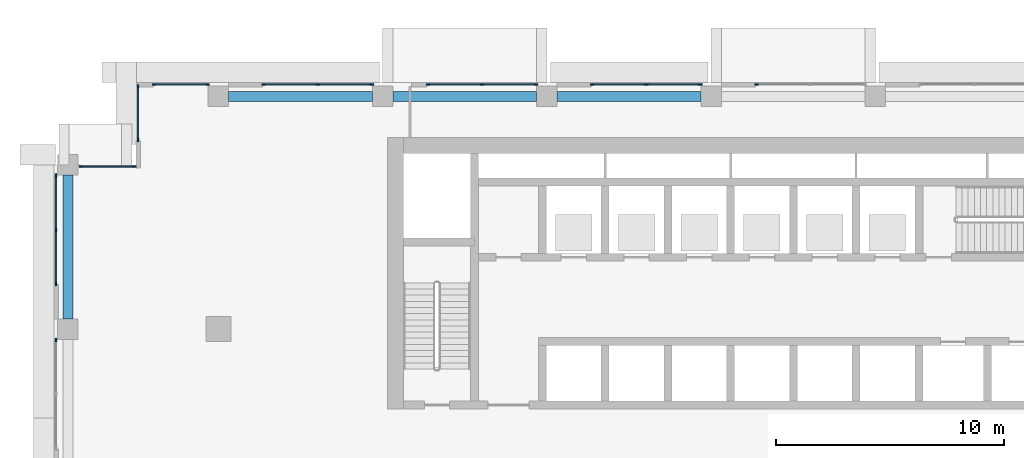
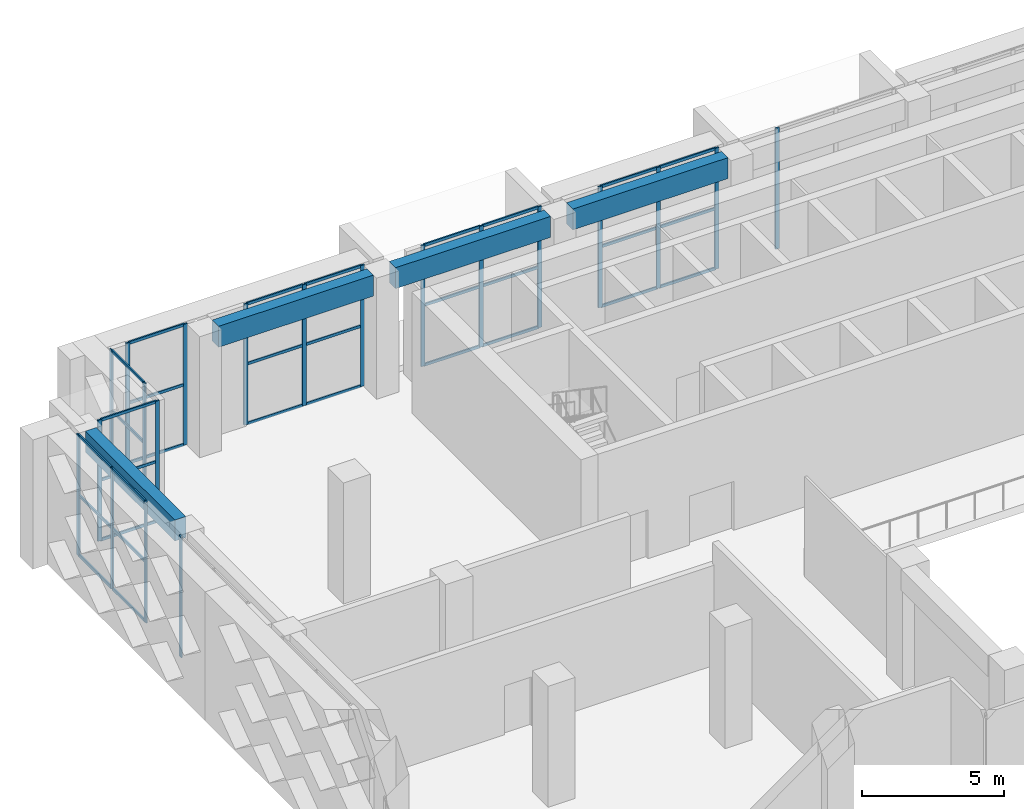
# One storey, part 7 of 25: 53 members, 4 beams, 9 elements without a shape of their own.
"""IFC4 building model written with IfcOpenShell, lengths in metres."""

from ifc_helpers import new_model, si_unit, direction, frame, origin, origin_2d, place, context, subcontext, project, spatial, rectangle, extrude, source, transform, mapped, material, layer, layer_set, material_profile, profile_set, type_object, element, aggregate, save


model = new_model("IFC4")

# Units and contexts
model_context = context("Model", 3, precision=1e-05, world=origin(), true_north=direction((0.0, 1.0)))
body_context = subcontext(model_context, "Body", "Model", "MODEL_VIEW")
ifc_project = project(units=[si_unit("LENGTHUNIT", "METRE"), si_unit("AREAUNIT", "SQUARE_METRE"), si_unit("VOLUMEUNIT", "CUBIC_METRE"), si_unit("PLANEANGLEUNIT", "RADIAN"), si_unit("MASSUNIT", "GRAM", prefix="KILO")], contexts=[model_context])

# Site, building, storey
site_placement = place(None, origin())
site = spatial("IfcSite", under=ifc_project, at=site_placement, CompositionType="ELEMENT")
building_placement = place(site_placement, origin())
building = spatial("IfcBuilding", under=site, at=building_placement, Name="Saffron Iwan Residences", CompositionType="ELEMENT")
storey_placement = place(building_placement, frame((0.0, 0.0, 137.5)))
storey = spatial("IfcBuildingStorey", under=building, at=storey_placement, Name="L36", CompositionType="ELEMENT", Elevation=137.5)

# Beams
ifc_material_1 = material(Name="Concrete C50/60", Category="concrete")
ifc_material_profile_1 = material_profile(ifc_material_1, rectangle(XDim=0.449951171875, YDim=0.89990234375, at=origin_2d()), Name="RC 450x900")
ifc_profile_set_1 = profile_set([ifc_material_profile_1], Name="Concrete C50/60")
beam_type = type_object("IfcBeamType", Name="SPANDREL BEAM RC 450x900 C50/60 TOP 5200", PredefinedType="SPANDREL", material=ifc_profile_set_1)
shared_shape_1 = source(origin(), body_context, "Body", "SweptSolid", [
    extrude(rectangle(XDim=0.449951171875, YDim=0.89990234375, at=origin_2d()), origin(), (0.0, 0.0, 1.0), 6.300048828125),
])
for number, where, z_axis, x_axis, name in (
    (1, (15.0, 70.050048828125, 4.75), (0.0, 1.0, 0.0), (-1.0, 0.0, 0.0), "Spandrel beam"),
    (2, (22.050048828125, 79.800048828125, 4.75), (1.0, 0.0, 0.0), (0.0, 1.0, 0.0), "Spandrel beam"),
    (3, (29.25, 79.800048828125, 4.75), (1.0, 0.0, 0.0), (0.0, 1.0, 0.0), "Spandrel beam"),
    (4, (36.449951171875, 79.800048828125, 4.75), (1.0, 0.0, 0.0), (0.0, 1.0, 0.0), "Spandrel beam"),
):
    element("IfcBeam", number, at=place(storey_placement, frame(where, z_axis=z_axis, x_axis=x_axis)), inside=storey, type_object=beam_type, Name=name, PredefinedType="SPANDREL", context=body_context, shape_type="MappedRepresentation", body=[
        mapped(shared_shape_1, transform((0.0, 0.0, 0.0))),
    ])

# Curtain wall, member
ifc_material_2 = material(Name="Clear glass, laminated double glazed", Category="glass")
ifc_layer = layer(ifc_material_2, 0.14990234375)
ifc_layer_set = layer_set([ifc_layer], Name="Clear glass, laminated double glazed")
curtain_wall_type = type_object("IfcCurtainWallType", Name="CW-C SKY LOBBY GLAZING", PredefinedType="NOTDEFINED", material=ifc_layer_set)
curtain_wall_1_placement = place(storey_placement, origin())
curtain_wall_1 = element("IfcCurtainWall", 5, at=curtain_wall_1_placement, inside=storey, type_object=curtain_wall_type, Name="Glazing L36 F5.6", PredefinedType="NOTDEFINED")
ifc_material_3 = material(Name="Aluminium 6063-T6", Category="aluminium")
ifc_material_profile_2 = material_profile(ifc_material_3, rectangle(XDim=0.06005859375, YDim=0.159912109375, at=origin_2d()), Name="CW-C MULLION 60 x 160")
ifc_profile_set_2 = profile_set([ifc_material_profile_2], Name="Aluminium 6063-T6")
member_type_1 = type_object("IfcMemberType", Name="CW-C MULLION 60 x 160", PredefinedType="MULLION", material=ifc_profile_set_2)
shared_shape_2 = source(origin(), body_context, "Body", "SweptSolid", [
    extrude(rectangle(XDim=0.06005859375, YDim=0.159912109375, at=origin_2d()), origin(), (0.0, 0.0, 1.0), 5.199951171875),
])
member_1_placement = place(storey_placement, frame((45.179931640625, 80.320068359375, 0.0), z_axis=(0.0, 0.0, 1.0), x_axis=(0.0, -1.0, 0.0)))
member_1 = element("IfcMember", 6, at=member_1_placement, type_object=member_type_1, Name="CW-C mullion 3", PredefinedType="MULLION", context=body_context, shape_type="MappedRepresentation", body=[
    mapped(shared_shape_2, transform((0.0, 0.0, 0.0))),
])
aggregate(curtain_wall_1, [member_1])

# Curtain wall, members
curtain_wall_2_placement = place(storey_placement, origin())
curtain_wall_2 = element("IfcCurtainWall", 7, at=curtain_wall_2_placement, inside=storey, type_object=curtain_wall_type, Name="Glazing L36 F5.7", PredefinedType="NOTDEFINED")
member_2_placement = place(storey_placement, frame((42.719970703125, 80.320068359375, 0.0), z_axis=(0.0, 0.0, 1.0), x_axis=(0.0, -1.0, 0.0)))
member_2 = element("IfcMember", 8, at=member_2_placement, type_object=member_type_1, Name="CW-C mullion 1", PredefinedType="MULLION", context=body_context, shape_type="MappedRepresentation", body=[
    mapped(shared_shape_2, transform((0.0, 0.0, 0.0))),
])
member_3_placement = place(storey_placement, frame((40.35009765625, 80.320068359375, 0.0), z_axis=(0.0, 0.0, 1.0), x_axis=(0.0, -1.0, 0.0)))
member_3 = element("IfcMember", 9, at=member_3_placement, type_object=member_type_1, Name="CW-C mullion 2", PredefinedType="MULLION", context=body_context, shape_type="MappedRepresentation", body=[
    mapped(shared_shape_2, transform((0.0, 0.0, 0.0))),
])
member_4_placement = place(storey_placement, frame((37.97998046875, 80.320068359375, 0.0), z_axis=(0.0, 0.0, 1.0), x_axis=(0.0, -1.0, 0.0)))
member_4 = element("IfcMember", 10, at=member_4_placement, type_object=member_type_1, Name="CW-C mullion 3", PredefinedType="MULLION", context=body_context, shape_type="MappedRepresentation", body=[
    mapped(shared_shape_2, transform((0.0, 0.0, 0.0))),
])

curtain_wall_3_placement = place(storey_placement, origin())
curtain_wall_3 = element("IfcCurtainWall", 11, at=curtain_wall_3_placement, inside=storey, type_object=curtain_wall_type, Name="Glazing L36 F5.8", PredefinedType="NOTDEFINED")
member_5_placement = place(storey_placement, frame((35.52001953125, 80.320068359375, 0.0), z_axis=(0.0, 0.0, 1.0), x_axis=(0.0, -1.0, 0.0)))
member_5 = element("IfcMember", 12, at=member_5_placement, type_object=member_type_1, Name="CW-C mullion 1", PredefinedType="MULLION", context=body_context, shape_type="MappedRepresentation", body=[
    mapped(shared_shape_2, transform((0.0, 0.0, 0.0))),
])
member_6_placement = place(storey_placement, frame((33.14990234375, 80.320068359375, 0.0), z_axis=(0.0, 0.0, 1.0), x_axis=(0.0, -1.0, 0.0)))
member_6 = element("IfcMember", 13, at=member_6_placement, type_object=member_type_1, Name="CW-C mullion 2", PredefinedType="MULLION", context=body_context, shape_type="MappedRepresentation", body=[
    mapped(shared_shape_2, transform((0.0, 0.0, 0.0))),
])
member_7_placement = place(storey_placement, frame((30.780029296875, 80.320068359375, 0.0), z_axis=(0.0, 0.0, 1.0), x_axis=(0.0, -1.0, 0.0)))
member_7 = element("IfcMember", 14, at=member_7_placement, type_object=member_type_1, Name="CW-C mullion 3", PredefinedType="MULLION", context=body_context, shape_type="MappedRepresentation", body=[
    mapped(shared_shape_2, transform((0.0, 0.0, 0.0))),
])

curtain_wall_4_placement = place(storey_placement, origin())
curtain_wall_4 = element("IfcCurtainWall", 15, at=curtain_wall_4_placement, inside=storey, type_object=curtain_wall_type, Name="Glazing L36 F5.9", PredefinedType="NOTDEFINED")
member_8_placement = place(storey_placement, frame((28.320068359375, 80.320068359375, 0.0), z_axis=(0.0, 0.0, 1.0), x_axis=(0.0, -1.0, 0.0)))
member_8 = element("IfcMember", 16, at=member_8_placement, type_object=member_type_1, Name="CW-C mullion 1", PredefinedType="MULLION", context=body_context, shape_type="MappedRepresentation", body=[
    mapped(shared_shape_2, transform((0.0, 0.0, 0.0))),
])
member_9_placement = place(storey_placement, frame((25.949951171875, 80.320068359375, 0.0), z_axis=(0.0, 0.0, 1.0), x_axis=(0.0, -1.0, 0.0)))
member_9 = element("IfcMember", 17, at=member_9_placement, type_object=member_type_1, Name="CW-C mullion 2", PredefinedType="MULLION", context=body_context, shape_type="MappedRepresentation", body=[
    mapped(shared_shape_2, transform((0.0, 0.0, 0.0))),
])
member_10_placement = place(storey_placement, frame((23.580078125, 80.320068359375, 0.0), z_axis=(0.0, 0.0, 1.0), x_axis=(0.0, -1.0, 0.0)))
member_10 = element("IfcMember", 18, at=member_10_placement, type_object=member_type_1, Name="CW-C mullion 3", PredefinedType="MULLION", context=body_context, shape_type="MappedRepresentation", body=[
    mapped(shared_shape_2, transform((0.0, 0.0, 0.0))),
])

curtain_wall_5_placement = place(storey_placement, origin())
curtain_wall_5 = element("IfcCurtainWall", 19, at=curtain_wall_5_placement, inside=storey, type_object=curtain_wall_type, Name="Glazing L36 F5.10", PredefinedType="NOTDEFINED")
member_11_placement = place(storey_placement, frame((21.1201171875, 80.320068359375, 0.0), z_axis=(0.0, 0.0, 1.0), x_axis=(0.0, -1.0, 0.0)))
member_11 = element("IfcMember", 20, at=member_11_placement, type_object=member_type_1, Name="CW-C mullion 1", PredefinedType="MULLION", context=body_context, shape_type="MappedRepresentation", body=[
    mapped(shared_shape_2, transform((0.0, 0.0, 0.0))),
])
member_12_placement = place(storey_placement, frame((18.780029296875, 80.320068359375, 0.0), z_axis=(0.0, 0.0, 1.0), x_axis=(0.0, -1.0, 0.0)))
member_12 = element("IfcMember", 21, at=member_12_placement, type_object=member_type_1, Name="CW-C mullion 2", PredefinedType="MULLION", context=body_context, shape_type="MappedRepresentation", body=[
    mapped(shared_shape_2, transform((0.0, 0.0, 0.0))),
])

curtain_wall_6_placement = place(storey_placement, origin())
curtain_wall_6 = element("IfcCurtainWall", 22, at=curtain_wall_6_placement, inside=storey, type_object=curtain_wall_type, Name="Glazing L36 F6.0", PredefinedType="NOTDEFINED")
member_13_placement = place(storey_placement, frame((18.080078125, 80.239990234375, 0.0), z_axis=(0.0, 0.0, 1.0), x_axis=(1.0, 0.0, 0.0)))
member_13 = element("IfcMember", 23, at=member_13_placement, type_object=member_type_1, Name="CW-C mullion 1", PredefinedType="MULLION", context=body_context, shape_type="MappedRepresentation", body=[
    mapped(shared_shape_2, transform((0.0, 0.0, 0.0))),
])
member_14_placement = place(storey_placement, frame((18.080078125, 77.89990234375, 0.0), z_axis=(0.0, 0.0, 1.0), x_axis=(1.0, 0.0, 0.0)))
member_14 = element("IfcMember", 24, at=member_14_placement, type_object=member_type_1, Name="CW-C mullion 2", PredefinedType="MULLION", context=body_context, shape_type="MappedRepresentation", body=[
    mapped(shared_shape_2, transform((0.0, 0.0, 0.0))),
])

curtain_wall_7_placement = place(storey_placement, origin())
curtain_wall_7 = element("IfcCurtainWall", 25, at=curtain_wall_7_placement, inside=storey, type_object=curtain_wall_type, Name="Glazing L36 F7.0", PredefinedType="NOTDEFINED")
member_15_placement = place(storey_placement, frame((17.909912109375, 76.719970703125, 0.0), z_axis=(0.0, 0.0, 1.0), x_axis=(0.0, -1.0, 0.0)))
member_15 = element("IfcMember", 26, at=member_15_placement, type_object=member_type_1, Name="CW-C mullion 1", PredefinedType="MULLION", context=body_context, shape_type="MappedRepresentation", body=[
    mapped(shared_shape_2, transform((0.0, 0.0, 0.0))),
])
member_16_placement = place(storey_placement, frame((15.570068359375, 76.719970703125, 0.0), z_axis=(0.0, 0.0, 1.0), x_axis=(0.0, -1.0, 0.0)))
member_16 = element("IfcMember", 27, at=member_16_placement, type_object=member_type_1, Name="CW-C mullion 2", PredefinedType="MULLION", context=body_context, shape_type="MappedRepresentation", body=[
    mapped(shared_shape_2, transform((0.0, 0.0, 0.0))),
])

curtain_wall_8_placement = place(storey_placement, origin())
curtain_wall_8 = element("IfcCurtainWall", 28, at=curtain_wall_8_placement, inside=storey, type_object=curtain_wall_type, Name="Glazing L36 F8.0", PredefinedType="NOTDEFINED")
member_17_placement = place(storey_placement, frame((14.47998046875, 76.320068359375, 0.0), z_axis=(0.0, 0.0, 1.0), x_axis=(1.0, 0.0, 0.0)))
member_17 = element("IfcMember", 29, at=member_17_placement, type_object=member_type_1, Name="CW-C mullion 1", PredefinedType="MULLION", context=body_context, shape_type="MappedRepresentation", body=[
    mapped(shared_shape_2, transform((0.0, 0.0, 0.0))),
])
member_18_placement = place(storey_placement, frame((14.47998046875, 73.949951171875, 0.0), z_axis=(0.0, 0.0, 1.0), x_axis=(1.0, 0.0, 0.0)))
member_18 = element("IfcMember", 30, at=member_18_placement, type_object=member_type_1, Name="CW-C mullion 2", PredefinedType="MULLION", context=body_context, shape_type="MappedRepresentation", body=[
    mapped(shared_shape_2, transform((0.0, 0.0, 0.0))),
])
member_19_placement = place(storey_placement, frame((14.47998046875, 71.580078125, 0.0), z_axis=(0.0, 0.0, 1.0), x_axis=(1.0, 0.0, 0.0)))
member_19 = element("IfcMember", 31, at=member_19_placement, type_object=member_type_1, Name="CW-C mullion 3", PredefinedType="MULLION", context=body_context, shape_type="MappedRepresentation", body=[
    mapped(shared_shape_2, transform((0.0, 0.0, 0.0))),
])

# Curtain wall, member
curtain_wall_9_placement = place(storey_placement, origin())
curtain_wall_9 = element("IfcCurtainWall", 32, at=curtain_wall_9_placement, inside=storey, type_object=curtain_wall_type, Name="Glazing L36 F8.1", PredefinedType="NOTDEFINED")
member_20_placement = place(storey_placement, frame((14.47998046875, 69.1201171875, 0.0), z_axis=(0.0, 0.0, 1.0), x_axis=(1.0, 0.0, 0.0)))
member_20 = element("IfcMember", 33, at=member_20_placement, type_object=member_type_1, Name="CW-C mullion 1", PredefinedType="MULLION", context=body_context, shape_type="MappedRepresentation", body=[
    mapped(shared_shape_2, transform((0.0, 0.0, 0.0))),
])
aggregate(curtain_wall_9, [member_20])

# Member
ifc_material_profile_3 = material_profile(ifc_material_3, rectangle(XDim=0.06005859375, YDim=0.1201171875, at=origin_2d()), Name="CW-C TRANSOM 60 x 120")
ifc_profile_set_3 = profile_set([ifc_material_profile_3], Name="Aluminium 6063-T6")
member_type_2 = type_object("IfcMemberType", Name="CW-C TRANSOM 60 x 120", PredefinedType="USERDEFINED", material=ifc_profile_set_3)
shared_shape_3 = source(origin(), body_context, "Body", "SweptSolid", [
    extrude(rectangle(XDim=0.06005859375, YDim=0.1201171875, at=origin_2d()), origin(), (0.0, 0.0, 1.0), 2.31005859375),
])
member_21_placement = place(storey_placement, frame((42.68994140625, 80.320068359375, 0.030029296875), z_axis=(-1.0, 0.0, 0.0), x_axis=(0.0, -1.0, 0.0)))
member_21 = element("IfcMember", 34, at=member_21_placement, type_object=member_type_2, Name="CW-C transom 1.1", ObjectType="TRANSOM", PredefinedType="USERDEFINED", context=body_context, shape_type="MappedRepresentation", body=[
    mapped(shared_shape_3, transform((0.0, 0.0, 0.0))),
])

member_22_placement = place(storey_placement, frame((42.68994140625, 80.320068359375, 2.60009765625), z_axis=(-1.0, 0.0, 0.0), x_axis=(0.0, -1.0, 0.0)))
member_22 = element("IfcMember", 35, at=member_22_placement, type_object=member_type_2, Name="CW-C transom 1.2", ObjectType="TRANSOM", PredefinedType="USERDEFINED", context=body_context, shape_type="MappedRepresentation", body=[
    mapped(shared_shape_3, transform((0.0, 0.0, 0.0))),
])

member_23_placement = place(storey_placement, frame((42.68994140625, 80.320068359375, 5.169921875), z_axis=(-1.0, 0.0, 0.0), x_axis=(0.0, -1.0, 0.0)))
member_23 = element("IfcMember", 36, at=member_23_placement, type_object=member_type_2, Name="CW-C transom 1.3", ObjectType="TRANSOM", PredefinedType="USERDEFINED", context=body_context, shape_type="MappedRepresentation", body=[
    mapped(shared_shape_3, transform((0.0, 0.0, 0.0))),
])

member_24_placement = place(storey_placement, frame((40.320068359375, 80.320068359375, 0.030029296875), z_axis=(-1.0, 0.0, 0.0), x_axis=(0.0, -1.0, 0.0)))
member_24 = element("IfcMember", 37, at=member_24_placement, type_object=member_type_2, Name="CW-C transom 2.1", ObjectType="TRANSOM", PredefinedType="USERDEFINED", context=body_context, shape_type="MappedRepresentation", body=[
    mapped(shared_shape_3, transform((0.0, 0.0, 0.0))),
])

member_25_placement = place(storey_placement, frame((40.320068359375, 80.320068359375, 2.60009765625), z_axis=(-1.0, 0.0, 0.0), x_axis=(0.0, -1.0, 0.0)))
member_25 = element("IfcMember", 38, at=member_25_placement, type_object=member_type_2, Name="CW-C transom 2.2", ObjectType="TRANSOM", PredefinedType="USERDEFINED", context=body_context, shape_type="MappedRepresentation", body=[
    mapped(shared_shape_3, transform((0.0, 0.0, 0.0))),
])

member_26_placement = place(storey_placement, frame((40.320068359375, 80.320068359375, 5.169921875), z_axis=(-1.0, 0.0, 0.0), x_axis=(0.0, -1.0, 0.0)))
member_26 = element("IfcMember", 39, at=member_26_placement, type_object=member_type_2, Name="CW-C transom 2.3", ObjectType="TRANSOM", PredefinedType="USERDEFINED", context=body_context, shape_type="MappedRepresentation", body=[
    mapped(shared_shape_3, transform((0.0, 0.0, 0.0))),
])

aggregate(curtain_wall_2, [member_2, member_3, member_4, member_21, member_22, member_23, member_24, member_25, member_26])

member_27_placement = place(storey_placement, frame((35.489990234375, 80.320068359375, 0.030029296875), z_axis=(-1.0, 0.0, 0.0), x_axis=(0.0, -1.0, 0.0)))
member_27 = element("IfcMember", 40, at=member_27_placement, type_object=member_type_2, Name="CW-C transom 1.1", ObjectType="TRANSOM", PredefinedType="USERDEFINED", context=body_context, shape_type="MappedRepresentation", body=[
    mapped(shared_shape_3, transform((0.0, 0.0, 0.0))),
])

member_28_placement = place(storey_placement, frame((35.489990234375, 80.320068359375, 2.60009765625), z_axis=(-1.0, 0.0, 0.0), x_axis=(0.0, -1.0, 0.0)))
member_28 = element("IfcMember", 41, at=member_28_placement, type_object=member_type_2, Name="CW-C transom 1.2", ObjectType="TRANSOM", PredefinedType="USERDEFINED", context=body_context, shape_type="MappedRepresentation", body=[
    mapped(shared_shape_3, transform((0.0, 0.0, 0.0))),
])

member_29_placement = place(storey_placement, frame((35.489990234375, 80.320068359375, 5.169921875), z_axis=(-1.0, 0.0, 0.0), x_axis=(0.0, -1.0, 0.0)))
member_29 = element("IfcMember", 42, at=member_29_placement, type_object=member_type_2, Name="CW-C transom 1.3", ObjectType="TRANSOM", PredefinedType="USERDEFINED", context=body_context, shape_type="MappedRepresentation", body=[
    mapped(shared_shape_3, transform((0.0, 0.0, 0.0))),
])

member_30_placement = place(storey_placement, frame((33.1201171875, 80.320068359375, 0.030029296875), z_axis=(-1.0, 0.0, 0.0), x_axis=(0.0, -1.0, 0.0)))
member_30 = element("IfcMember", 43, at=member_30_placement, type_object=member_type_2, Name="CW-C transom 2.1", ObjectType="TRANSOM", PredefinedType="USERDEFINED", context=body_context, shape_type="MappedRepresentation", body=[
    mapped(shared_shape_3, transform((0.0, 0.0, 0.0))),
])

member_31_placement = place(storey_placement, frame((33.1201171875, 80.320068359375, 2.60009765625), z_axis=(-1.0, 0.0, 0.0), x_axis=(0.0, -1.0, 0.0)))
member_31 = element("IfcMember", 44, at=member_31_placement, type_object=member_type_2, Name="CW-C transom 2.2", ObjectType="TRANSOM", PredefinedType="USERDEFINED", context=body_context, shape_type="MappedRepresentation", body=[
    mapped(shared_shape_3, transform((0.0, 0.0, 0.0))),
])

member_32_placement = place(storey_placement, frame((33.1201171875, 80.320068359375, 5.169921875), z_axis=(-1.0, 0.0, 0.0), x_axis=(0.0, -1.0, 0.0)))
member_32 = element("IfcMember", 45, at=member_32_placement, type_object=member_type_2, Name="CW-C transom 2.3", ObjectType="TRANSOM", PredefinedType="USERDEFINED", context=body_context, shape_type="MappedRepresentation", body=[
    mapped(shared_shape_3, transform((0.0, 0.0, 0.0))),
])

aggregate(curtain_wall_3, [member_5, member_6, member_7, member_27, member_28, member_29, member_30, member_31, member_32])

member_33_placement = place(storey_placement, frame((28.2900390625, 80.320068359375, 0.030029296875), z_axis=(-1.0, 0.0, 0.0), x_axis=(0.0, -1.0, 0.0)))
member_33 = element("IfcMember", 46, at=member_33_placement, type_object=member_type_2, Name="CW-C transom 1.1", ObjectType="TRANSOM", PredefinedType="USERDEFINED", context=body_context, shape_type="MappedRepresentation", body=[
    mapped(shared_shape_3, transform((0.0, 0.0, 0.0))),
])

member_34_placement = place(storey_placement, frame((28.2900390625, 80.320068359375, 2.60009765625), z_axis=(-1.0, 0.0, 0.0), x_axis=(0.0, -1.0, 0.0)))
member_34 = element("IfcMember", 47, at=member_34_placement, type_object=member_type_2, Name="CW-C transom 1.2", ObjectType="TRANSOM", PredefinedType="USERDEFINED", context=body_context, shape_type="MappedRepresentation", body=[
    mapped(shared_shape_3, transform((0.0, 0.0, 0.0))),
])

member_35_placement = place(storey_placement, frame((28.2900390625, 80.320068359375, 5.169921875), z_axis=(-1.0, 0.0, 0.0), x_axis=(0.0, -1.0, 0.0)))
member_35 = element("IfcMember", 48, at=member_35_placement, type_object=member_type_2, Name="CW-C transom 1.3", ObjectType="TRANSOM", PredefinedType="USERDEFINED", context=body_context, shape_type="MappedRepresentation", body=[
    mapped(shared_shape_3, transform((0.0, 0.0, 0.0))),
])

member_36_placement = place(storey_placement, frame((14.47998046875, 76.2900390625, 0.030029296875), z_axis=(0.0, -1.0, 0.0), x_axis=(1.0, 0.0, 0.0)))
member_36 = element("IfcMember", 49, at=member_36_placement, type_object=member_type_2, Name="CW-C transom 1.1", ObjectType="TRANSOM", PredefinedType="USERDEFINED", context=body_context, shape_type="MappedRepresentation", body=[
    mapped(shared_shape_3, transform((0.0, 0.0, 0.0))),
])

member_37_placement = place(storey_placement, frame((14.47998046875, 76.2900390625, 2.60009765625), z_axis=(0.0, -1.0, 0.0), x_axis=(1.0, 0.0, 0.0)))
member_37 = element("IfcMember", 50, at=member_37_placement, type_object=member_type_2, Name="CW-C transom 1.2", ObjectType="TRANSOM", PredefinedType="USERDEFINED", context=body_context, shape_type="MappedRepresentation", body=[
    mapped(shared_shape_3, transform((0.0, 0.0, 0.0))),
])

member_38_placement = place(storey_placement, frame((14.47998046875, 76.2900390625, 5.169921875), z_axis=(0.0, -1.0, 0.0), x_axis=(1.0, 0.0, 0.0)))
member_38 = element("IfcMember", 51, at=member_38_placement, type_object=member_type_2, Name="CW-C transom 1.3", ObjectType="TRANSOM", PredefinedType="USERDEFINED", context=body_context, shape_type="MappedRepresentation", body=[
    mapped(shared_shape_3, transform((0.0, 0.0, 0.0))),
])

shared_shape_4 = source(origin(), body_context, "Body", "SweptSolid", [
    extrude(rectangle(XDim=0.06005859375, YDim=0.1201171875, at=origin_2d()), origin(), (0.0, 0.0, 1.0), 2.309814453125),
])
member_39_placement = place(storey_placement, frame((25.919921875, 80.320068359375, 0.030029296875), z_axis=(-1.0, 0.0, 0.0), x_axis=(0.0, -1.0, 0.0)))
member_39 = element("IfcMember", 52, at=member_39_placement, type_object=member_type_2, Name="CW-C transom 2.1", ObjectType="TRANSOM", PredefinedType="USERDEFINED", context=body_context, shape_type="MappedRepresentation", body=[
    mapped(shared_shape_4, transform((0.0, 0.0, 0.0))),
])

member_40_placement = place(storey_placement, frame((25.919921875, 80.320068359375, 2.60009765625), z_axis=(-1.0, 0.0, 0.0), x_axis=(0.0, -1.0, 0.0)))
member_40 = element("IfcMember", 53, at=member_40_placement, type_object=member_type_2, Name="CW-C transom 2.2", ObjectType="TRANSOM", PredefinedType="USERDEFINED", context=body_context, shape_type="MappedRepresentation", body=[
    mapped(shared_shape_4, transform((0.0, 0.0, 0.0))),
])

member_41_placement = place(storey_placement, frame((25.919921875, 80.320068359375, 5.169921875), z_axis=(-1.0, 0.0, 0.0), x_axis=(0.0, -1.0, 0.0)))
member_41 = element("IfcMember", 54, at=member_41_placement, type_object=member_type_2, Name="CW-C transom 2.3", ObjectType="TRANSOM", PredefinedType="USERDEFINED", context=body_context, shape_type="MappedRepresentation", body=[
    mapped(shared_shape_4, transform((0.0, 0.0, 0.0))),
])

aggregate(curtain_wall_4, [member_8, member_9, member_10, member_33, member_34, member_35, member_39, member_40, member_41])

member_42_placement = place(storey_placement, frame((14.47998046875, 73.919921875, 0.030029296875), z_axis=(0.0, -1.0, 0.0), x_axis=(1.0, 0.0, 0.0)))
member_42 = element("IfcMember", 55, at=member_42_placement, type_object=member_type_2, Name="CW-C transom 2.1", ObjectType="TRANSOM", PredefinedType="USERDEFINED", context=body_context, shape_type="MappedRepresentation", body=[
    mapped(shared_shape_4, transform((0.0, 0.0, 0.0))),
])

member_43_placement = place(storey_placement, frame((14.47998046875, 73.919921875, 2.60009765625), z_axis=(0.0, -1.0, 0.0), x_axis=(1.0, 0.0, 0.0)))
member_43 = element("IfcMember", 56, at=member_43_placement, type_object=member_type_2, Name="CW-C transom 2.2", ObjectType="TRANSOM", PredefinedType="USERDEFINED", context=body_context, shape_type="MappedRepresentation", body=[
    mapped(shared_shape_4, transform((0.0, 0.0, 0.0))),
])

member_44_placement = place(storey_placement, frame((14.47998046875, 73.919921875, 5.169921875), z_axis=(0.0, -1.0, 0.0), x_axis=(1.0, 0.0, 0.0)))
member_44 = element("IfcMember", 57, at=member_44_placement, type_object=member_type_2, Name="CW-C transom 2.3", ObjectType="TRANSOM", PredefinedType="USERDEFINED", context=body_context, shape_type="MappedRepresentation", body=[
    mapped(shared_shape_4, transform((0.0, 0.0, 0.0))),
])

aggregate(curtain_wall_8, [member_17, member_18, member_19, member_36, member_37, member_38, member_42, member_43, member_44])

shared_shape_5 = source(origin(), body_context, "Body", "SweptSolid", [
    extrude(rectangle(XDim=0.06005859375, YDim=0.1201171875, at=origin_2d()), origin(), (0.0, 0.0, 1.0), 2.280029296875),
])
member_45_placement = place(storey_placement, frame((21.090087890625, 80.320068359375, 0.030029296875), z_axis=(-1.0, 0.0, 0.0), x_axis=(0.0, -1.0, 0.0)))
member_45 = element("IfcMember", 58, at=member_45_placement, type_object=member_type_2, Name="CW-C transom 1.1", ObjectType="TRANSOM", PredefinedType="USERDEFINED", context=body_context, shape_type="MappedRepresentation", body=[
    mapped(shared_shape_5, transform((0.0, 0.0, 0.0))),
])

member_46_placement = place(storey_placement, frame((21.090087890625, 80.320068359375, 2.60009765625), z_axis=(-1.0, 0.0, 0.0), x_axis=(0.0, -1.0, 0.0)))
member_46 = element("IfcMember", 59, at=member_46_placement, type_object=member_type_2, Name="CW-C transom 1.2", ObjectType="TRANSOM", PredefinedType="USERDEFINED", context=body_context, shape_type="MappedRepresentation", body=[
    mapped(shared_shape_5, transform((0.0, 0.0, 0.0))),
])

member_47_placement = place(storey_placement, frame((21.090087890625, 80.320068359375, 5.169921875), z_axis=(-1.0, 0.0, 0.0), x_axis=(0.0, -1.0, 0.0)))
member_47 = element("IfcMember", 60, at=member_47_placement, type_object=member_type_2, Name="CW-C transom 1.3", ObjectType="TRANSOM", PredefinedType="USERDEFINED", context=body_context, shape_type="MappedRepresentation", body=[
    mapped(shared_shape_5, transform((0.0, 0.0, 0.0))),
])

aggregate(curtain_wall_5, [member_11, member_12, member_45, member_46, member_47])

member_48_placement = place(storey_placement, frame((18.080078125, 80.2099609375, 0.030029296875), z_axis=(0.0, -1.0, 0.0), x_axis=(1.0, 0.0, 0.0)))
member_48 = element("IfcMember", 61, at=member_48_placement, type_object=member_type_2, Name="CW-C transom 1.1", ObjectType="TRANSOM", PredefinedType="USERDEFINED", context=body_context, shape_type="MappedRepresentation", body=[
    mapped(shared_shape_5, transform((0.0, 0.0, 0.0))),
])

member_49_placement = place(storey_placement, frame((18.080078125, 80.2099609375, 2.60009765625), z_axis=(0.0, -1.0, 0.0), x_axis=(1.0, 0.0, 0.0)))
member_49 = element("IfcMember", 62, at=member_49_placement, type_object=member_type_2, Name="CW-C transom 1.2", ObjectType="TRANSOM", PredefinedType="USERDEFINED", context=body_context, shape_type="MappedRepresentation", body=[
    mapped(shared_shape_5, transform((0.0, 0.0, 0.0))),
])

member_50_placement = place(storey_placement, frame((18.080078125, 80.2099609375, 5.169921875), z_axis=(0.0, -1.0, 0.0), x_axis=(1.0, 0.0, 0.0)))
member_50 = element("IfcMember", 63, at=member_50_placement, type_object=member_type_2, Name="CW-C transom 1.3", ObjectType="TRANSOM", PredefinedType="USERDEFINED", context=body_context, shape_type="MappedRepresentation", body=[
    mapped(shared_shape_5, transform((0.0, 0.0, 0.0))),
])

aggregate(curtain_wall_6, [member_13, member_14, member_48, member_49, member_50])

shared_shape_6 = source(origin(), body_context, "Body", "SweptSolid", [
    extrude(rectangle(XDim=0.06005859375, YDim=0.1201171875, at=origin_2d()), origin(), (0.0, 0.0, 1.0), 2.27978515625),
])
member_51_placement = place(storey_placement, frame((17.8798828125, 76.719970703125, 0.030029296875), z_axis=(-1.0, 0.0, 0.0), x_axis=(0.0, -1.0, 0.0)))
member_51 = element("IfcMember", 64, at=member_51_placement, type_object=member_type_2, Name="CW-C transom 1.1", ObjectType="TRANSOM", PredefinedType="USERDEFINED", context=body_context, shape_type="MappedRepresentation", body=[
    mapped(shared_shape_6, transform((0.0, 0.0, 0.0))),
])

member_52_placement = place(storey_placement, frame((17.8798828125, 76.719970703125, 2.60009765625), z_axis=(-1.0, 0.0, 0.0), x_axis=(0.0, -1.0, 0.0)))
member_52 = element("IfcMember", 65, at=member_52_placement, type_object=member_type_2, Name="CW-C transom 1.2", ObjectType="TRANSOM", PredefinedType="USERDEFINED", context=body_context, shape_type="MappedRepresentation", body=[
    mapped(shared_shape_6, transform((0.0, 0.0, 0.0))),
])

member_53_placement = place(storey_placement, frame((17.8798828125, 76.719970703125, 5.169921875), z_axis=(-1.0, 0.0, 0.0), x_axis=(0.0, -1.0, 0.0)))
member_53 = element("IfcMember", 66, at=member_53_placement, type_object=member_type_2, Name="CW-C transom 1.3", ObjectType="TRANSOM", PredefinedType="USERDEFINED", context=body_context, shape_type="MappedRepresentation", body=[
    mapped(shared_shape_6, transform((0.0, 0.0, 0.0))),
])

aggregate(curtain_wall_7, [member_15, member_16, member_51, member_52, member_53])

save(model, "model.ifc")
